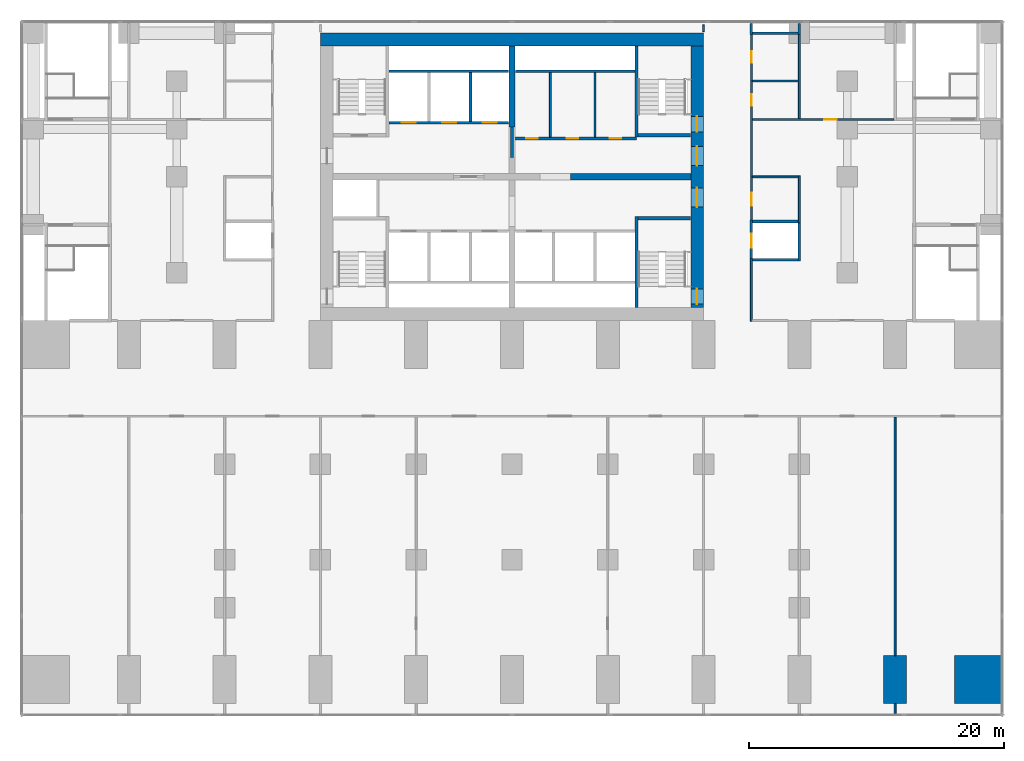
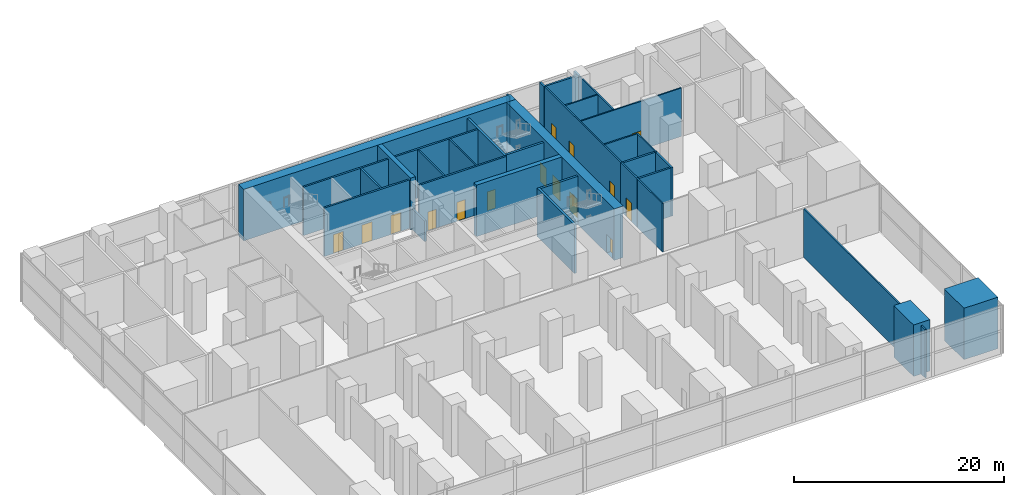
# One storey, part 11 of 14: 35 walls, 15 doors, 15 openings.
"""IFC4 building model written with IfcOpenShell, lengths in metres."""

from ifc_helpers import new_model, si_unit, direction, frame, frame_2d, origin, place, context, subcontext, project, spatial, rectangle, extrude, material, layer, layer_set, type_object, element, fill, save


model = new_model("IFC4")

# Units and contexts
model_context = context("Model", 3, precision=1e-05, world=origin(), true_north=direction((0.0, 1.0)))
body_context = subcontext(model_context, "Body", "Model", "MODEL_VIEW")
ifc_project = project(units=[si_unit("LENGTHUNIT", "METRE"), si_unit("AREAUNIT", "SQUARE_METRE"), si_unit("VOLUMEUNIT", "CUBIC_METRE"), si_unit("PLANEANGLEUNIT", "RADIAN"), si_unit("MASSUNIT", "GRAM", prefix="KILO")], contexts=[model_context])

# Site, building, storey
site_placement = place(None, origin())
site = spatial("IfcSite", under=ifc_project, at=site_placement, CompositionType="ELEMENT")
building_placement = place(site_placement, origin())
building = spatial("IfcBuilding", under=site, at=building_placement, Name="Pilkhan Gate Tower", CompositionType="ELEMENT")
storey_placement = place(building_placement, frame((0.0, 0.0, 24.0)))
storey = spatial("IfcBuildingStorey", under=building, at=storey_placement, Name="L03", CompositionType="ELEMENT", Elevation=24.0)

# Walls
ifc_material_1 = material(Name="Concrete C70/85", Category="concrete")
ifc_layer_1 = layer(ifc_material_1, 1.800048828125)
ifc_layer_set_1 = layer_set([ifc_layer_1], Name="Arch pier AP1800 C70/85")
wall_type_1 = type_object("IfcWallType", Name="Arch pier AP1800 C70/85", PredefinedType="SHEAR", material=ifc_layer_set_1)
wall_1_placement = place(storey_placement, frame((105.0, 41.25, 0.0), z_axis=(0.0, 0.0, 1.0), x_axis=(0.0, 1.0, 0.0)))
element("IfcWall", 1, at=wall_1_placement, inside=storey, type_object=wall_type_1, Name="Arch pier S+4 L03", PredefinedType="SHEAR", context=body_context, shape_type="SweptSolid", body=[
    extrude(rectangle(XDim=3.75, YDim=1.800048828125, at=frame_2d((1.875, 0.0))), origin(), (0.0, 0.0, 1.0), 6.0),
])
ifc_layer_2 = layer(ifc_material_1, 3.75)
ifc_layer_set_2 = layer_set([ifc_layer_2], Name="Arch pier AP3750 C70/85")
wall_type_2 = type_object("IfcWallType", Name="Arch pier AP3750 C70/85", PredefinedType="SHEAR", material=ifc_layer_set_2)
wall_2_placement = place(storey_placement, frame((111.52490234375, 41.25, 0.0), z_axis=(0.0, 0.0, 1.0), x_axis=(0.0, 1.0, 0.0)))
element("IfcWall", 2, at=wall_2_placement, inside=storey, type_object=wall_type_2, Name="Arch pier S+5 L03", PredefinedType="SHEAR", context=body_context, shape_type="SweptSolid", body=[
    extrude(rectangle(XDim=3.75, YDim=3.75, at=frame_2d((1.875, 0.0))), origin(), (0.0, 0.0, 1.0), 6.0),
])

# Wall, openings, doors
ifc_layer_3 = layer(ifc_material_1, 1.0)
ifc_layer_set_3 = layer_set([ifc_layer_3], Name="Core wall CW1000 C70/85")
wall_type_3 = type_object("IfcWallType", Name="Core wall CW1000 C70/85", PredefinedType="SHEAR", material=ifc_layer_set_3)
wall_3_placement = place(storey_placement, frame((89.5, 72.25, 0.0), z_axis=(0.0, 0.0, 1.0), x_axis=(0.0, 1.0, 0.0)))
wall_3 = element("IfcWall", 3, at=wall_3_placement, inside=storey, type_object=wall_type_3, Name="Core wall E L03", PredefinedType="SHEAR", context=body_context, shape_type="SweptSolid", body=[
    extrude(rectangle(XDim=20.5, YDim=1.0, at=frame_2d((10.25, 0.0))), origin(), (0.0, 0.0, 1.0), 6.0),
])
opening_1_placement = place(wall_3_placement, frame((0.27490234375, 0.0, 0.0)))
opening_1 = element("IfcOpeningElement", 4, at=opening_1_placement, cuts=wall_3, Name="Opening L03-03", PredefinedType="OPENING", context=body_context, shape_type="SweptSolid", body=[
    extrude(rectangle(XDim=1.199951171875, YDim=2.199951171875, at=frame_2d((0.60009765625, 1.10009765625))), frame((0.0, 0.510009765625, 0.0), z_axis=(0.0, -1.0, 0.0), x_axis=(1.0, 0.0, 0.0)), (0.0, 0.0, 1.0), 1.02001953125),
])
opening_2_placement = place(wall_3_placement, frame((13.77490234375, 0.0, 0.0)))
opening_2 = element("IfcOpeningElement", 5, at=opening_2_placement, cuts=wall_3, Name="Opening L03-05", PredefinedType="OPENING", context=body_context, shape_type="SweptSolid", body=[
    extrude(rectangle(XDim=1.199951171875, YDim=2.199951171875, at=frame_2d((0.60009765625, 1.10009765625))), frame((0.0, 0.510009765625, 0.0), z_axis=(0.0, -1.0, 0.0), x_axis=(1.0, 0.0, 0.0)), (0.0, 0.0, 1.0), 1.02001953125),
])
opening_3_placement = place(wall_3_placement, frame((7.875, 0.0, 0.0)))
opening_3 = element("IfcOpeningElement", 6, at=opening_3_placement, cuts=wall_3, Name="Opening L03-14", PredefinedType="OPENING", context=body_context, shape_type="SweptSolid", body=[
    extrude(rectangle(XDim=1.5, YDim=2.199951171875, at=frame_2d((0.75, 1.10009765625))), frame((0.0, 0.510009765625, 0.0), z_axis=(0.0, -1.0, 0.0), x_axis=(1.0, 0.0, 0.0)), (0.0, 0.0, 1.0), 1.02001953125),
])
opening_4_placement = place(wall_3_placement, frame((11.125, 0.0, 0.0)))
opening_4 = element("IfcOpeningElement", 7, at=opening_4_placement, cuts=wall_3, Name="Opening L03-16", PredefinedType="OPENING", context=body_context, shape_type="SweptSolid", body=[
    extrude(rectangle(XDim=1.5, YDim=2.199951171875, at=frame_2d((0.75, 1.10009765625))), frame((0.0, 0.510009765625, 0.0), z_axis=(0.0, -1.0, 0.0), x_axis=(1.0, 0.0, 0.0)), (0.0, 0.0, 1.0), 1.02001953125),
])
ifc_material_2 = material(Name="Steel framed glazed door, 60 minute fire resisting", Category="steel")
door_type_1 = type_object("IfcDoorType", Name="Lobby door D09 1500x2200", OperationType="DOUBLE_DOOR_SINGLE_SWING", PredefinedType="DOOR", material=ifc_material_2)
door_1_placement = place(opening_3_placement, origin())
door_1 = element("IfcDoor", 8, at=door_1_placement, inside=storey, type_object=door_type_1, Name="Core door", OperationType="DOUBLE_DOOR_SINGLE_SWING", OverallHeight=2.199951171875, OverallWidth=1.5, PredefinedType="DOOR", context=body_context, shape_type="SweptSolid", body=[
    extrude(rectangle(XDim=1.5, YDim=2.199951171875, at=frame_2d((0.75, 1.10009765625))), frame((0.0, 0.02490234375, 0.0), z_axis=(0.0, -1.0, 0.0), x_axis=(1.0, 0.0, 0.0)), (0.0, 0.0, 1.0), 0.050048828125),
])
fill(opening_3, door_1)
door_2_placement = place(opening_4_placement, origin())
door_2 = element("IfcDoor", 9, at=door_2_placement, inside=storey, type_object=door_type_1, Name="Core door", OperationType="DOUBLE_DOOR_SINGLE_SWING", OverallHeight=2.199951171875, OverallWidth=1.5, PredefinedType="DOOR", context=body_context, shape_type="SweptSolid", body=[
    extrude(rectangle(XDim=1.5, YDim=2.199951171875, at=frame_2d((0.75, 1.10009765625))), frame((0.0, 0.02490234375, 0.0), z_axis=(0.0, -1.0, 0.0), x_axis=(1.0, 0.0, 0.0)), (0.0, 0.0, 1.0), 0.050048828125),
])
fill(opening_4, door_2)
ifc_material_3 = material(Name="Steel door, 120 minute fire resisting, panic bar", Category="steel")
door_type_2 = type_object("IfcDoorType", Name="Stair door D11 1200x2200", OperationType="SINGLE_SWING_LEFT", PredefinedType="DOOR", material=ifc_material_3)
door_3_placement = place(opening_1_placement, origin())
door_3 = element("IfcDoor", 10, at=door_3_placement, inside=storey, type_object=door_type_2, Name="Stair ST1 door", OperationType="SINGLE_SWING_RIGHT", OverallHeight=2.199951171875, OverallWidth=1.199951171875, PredefinedType="DOOR", context=body_context, shape_type="SweptSolid", body=[
    extrude(rectangle(XDim=1.199951171875, YDim=2.199951171875, at=frame_2d((0.60009765625, 1.10009765625))), frame((0.0, 0.02490234375, 0.0), z_axis=(0.0, -1.0, 0.0), x_axis=(1.0, 0.0, 0.0)), (0.0, 0.0, 1.0), 0.050048828125),
])
fill(opening_1, door_3)
door_4_placement = place(opening_2_placement, origin())
door_4 = element("IfcDoor", 11, at=door_4_placement, inside=storey, type_object=door_type_2, Name="Stair ST4 door", OperationType="SINGLE_SWING_LEFT", OverallHeight=2.199951171875, OverallWidth=1.199951171875, PredefinedType="DOOR", context=body_context, shape_type="SweptSolid", body=[
    extrude(rectangle(XDim=1.199951171875, YDim=2.199951171875, at=frame_2d((0.60009765625, 1.10009765625))), frame((0.0, 0.02490234375, 0.0), z_axis=(0.0, -1.0, 0.0), x_axis=(1.0, 0.0, 0.0)), (0.0, 0.0, 1.0), 0.050048828125),
])
fill(opening_2, door_4)

# Wall
wall_4_placement = place(storey_placement, frame((90.0, 93.25, 0.0), z_axis=(0.0, 0.0, 1.0), x_axis=(-1.0, 0.0, 0.0)))
element("IfcWall", 12, at=wall_4_placement, inside=storey, type_object=wall_type_3, Name="Core wall N L03", PredefinedType="SHEAR", context=body_context, shape_type="SweptSolid", body=[
    extrude(rectangle(XDim=30.0, YDim=1.0, at=frame_2d((15.0, 0.0))), origin(), (0.0, 0.0, 1.0), 6.0),
])

# Wall, openings, doors
ifc_material_4 = material(Name="Dense blockwork", Category="masonry")
ifc_layer_4 = layer(ifc_material_4, 0.199951171875)
ifc_layer_set_4 = layer_set([ifc_layer_4], Name="Lobby wall LW200")
wall_type_4 = type_object("IfcWallType", Name="Lobby wall LW200", PredefinedType="PARTITIONING", material=ifc_layer_set_4)
wall_5_placement = place(storey_placement, frame((75.10009765625, 85.5, 0.0), z_axis=(0.0, 0.0, 1.0), x_axis=(1.0, 0.0, 0.0)))
wall_5 = element("IfcWall", 13, at=wall_5_placement, inside=storey, type_object=wall_type_4, Name="Partition L03", PredefinedType="PARTITIONING", context=body_context, shape_type="SweptSolid", body=[
    extrude(rectangle(XDim=9.64990234375, YDim=0.199951171875, at=frame_2d((4.824951171875, 0.0))), origin(), (0.0, 0.0, 1.0), 5.64990234375),
])
opening_5_placement = place(wall_5_placement, frame((1.0, 0.0, 0.0)))
opening_5 = element("IfcOpeningElement", 14, at=opening_5_placement, cuts=wall_5, Name="Opening L03-17", PredefinedType="OPENING", context=body_context, shape_type="SweptSolid", body=[
    extrude(rectangle(XDim=0.89990234375, YDim=2.199951171875, at=frame_2d((0.449951171875, 1.10009765625))), frame((0.0, 0.10986328125, 0.0), z_axis=(0.0, -1.0, 0.0), x_axis=(1.0, 0.0, 0.0)), (0.0, 0.0, 1.0), 0.219970703125),
])
opening_6_placement = place(wall_5_placement, frame((4.199951171875, 0.0, 0.0)))
opening_6 = element("IfcOpeningElement", 15, at=opening_6_placement, cuts=wall_5, Name="Opening L03-18", PredefinedType="OPENING", context=body_context, shape_type="SweptSolid", body=[
    extrude(rectangle(XDim=0.89990234375, YDim=2.199951171875, at=frame_2d((0.449951171875, 1.10009765625))), frame((0.0, 0.10986328125, 0.0), z_axis=(0.0, -1.0, 0.0), x_axis=(1.0, 0.0, 0.0)), (0.0, 0.0, 1.0), 0.219970703125),
])
opening_7_placement = place(wall_5_placement, frame((7.550048828125, 0.0, 0.0)))
opening_7 = element("IfcOpeningElement", 16, at=opening_7_placement, cuts=wall_5, Name="Opening L03-19", PredefinedType="OPENING", context=body_context, shape_type="SweptSolid", body=[
    extrude(rectangle(XDim=0.89990234375, YDim=2.199951171875, at=frame_2d((0.449951171875, 1.10009765625))), frame((0.0, 0.10986328125, 0.0), z_axis=(0.0, -1.0, 0.0), x_axis=(1.0, 0.0, 0.0)), (0.0, 0.0, 1.0), 0.219970703125),
])
ifc_material_5 = material(Name="Timber flush door, 60 minute fire resisting, self-closing", Category="wood")
door_type_3 = type_object("IfcDoorType", Name="Store door D05 900x2200", OperationType="SINGLE_SWING_LEFT", PredefinedType="DOOR", material=ifc_material_5)
door_5_placement = place(opening_6_placement, origin())
door_5 = element("IfcDoor", 17, at=door_5_placement, inside=storey, type_object=door_type_3, Name="Store door", OperationType="SINGLE_SWING_LEFT", OverallHeight=2.199951171875, OverallWidth=0.89990234375, PredefinedType="DOOR", context=body_context, shape_type="SweptSolid", body=[
    extrude(rectangle(XDim=0.89990234375, YDim=2.199951171875, at=frame_2d((0.449951171875, 1.10009765625))), frame((0.0, 0.02490234375, 0.0), z_axis=(0.0, -1.0, 0.0), x_axis=(1.0, 0.0, 0.0)), (0.0, 0.0, 1.0), 0.050048828125),
])
fill(opening_6, door_5)
door_6_placement = place(opening_7_placement, origin())
door_6 = element("IfcDoor", 18, at=door_6_placement, inside=storey, type_object=door_type_3, Name="Store door", OperationType="SINGLE_SWING_RIGHT", OverallHeight=2.199951171875, OverallWidth=0.89990234375, PredefinedType="DOOR", context=body_context, shape_type="SweptSolid", body=[
    extrude(rectangle(XDim=0.89990234375, YDim=2.199951171875, at=frame_2d((0.449951171875, 1.10009765625))), frame((0.0, 0.02490234375, 0.0), z_axis=(0.0, -1.0, 0.0), x_axis=(1.0, 0.0, 0.0)), (0.0, 0.0, 1.0), 0.050048828125),
])
fill(opening_7, door_6)
ifc_material_6 = material(Name="Timber flush door, 30 minute fire resisting", Category="wood")
door_type_4 = type_object("IfcDoorType", Name="Toilet door D06 900x2200", OperationType="SINGLE_SWING_LEFT", PredefinedType="DOOR", material=ifc_material_6)
door_7_placement = place(opening_5_placement, origin())
door_7 = element("IfcDoor", 19, at=door_7_placement, inside=storey, type_object=door_type_4, Name="Toilet door", OperationType="SINGLE_SWING_LEFT", OverallHeight=2.199951171875, OverallWidth=0.89990234375, PredefinedType="DOOR", context=body_context, shape_type="SweptSolid", body=[
    extrude(rectangle(XDim=0.89990234375, YDim=2.199951171875, at=frame_2d((0.449951171875, 1.10009765625))), frame((0.0, 0.02490234375, 0.0), z_axis=(0.0, -1.0, 0.0), x_axis=(1.0, 0.0, 0.0)), (0.0, 0.0, 1.0), 0.050048828125),
])
fill(opening_5, door_7)

# Walls
wall_6_placement = place(storey_placement, frame((75.260009765625, 90.75, 0.0), z_axis=(0.0, 0.0, 1.0), x_axis=(1.0, 0.0, 0.0)))
element("IfcWall", 20, at=wall_6_placement, inside=storey, type_object=wall_type_4, Name="Partition L03", PredefinedType="PARTITIONING", context=body_context, shape_type="SweptSolid", body=[
    extrude(rectangle(XDim=9.364990234375, YDim=0.199951171875, at=frame_2d((4.6826171875, 0.0))), origin(), (0.0, 0.0, 1.0), 5.64990234375),
])
wall_7_placement = place(storey_placement, frame((93.85009765625, 93.75, 0.0), z_axis=(0.0, 0.0, 1.0), x_axis=(1.0, 0.0, 0.0)))
element("IfcWall", 21, at=wall_7_placement, inside=storey, type_object=wall_type_4, Name="Partition L03", PredefinedType="PARTITIONING", context=body_context, shape_type="SweptSolid", body=[
    extrude(rectangle(XDim=3.5498046875, YDim=0.199951171875, at=frame_2d((1.77490234375, 0.0))), origin(), (0.0, 0.0, 1.0), 5.64990234375),
])
wall_8_placement = place(storey_placement, frame((75.0, 84.010009765625, 0.0), z_axis=(0.0, 0.0, 1.0), x_axis=(0.0, 1.0, 0.0)))
element("IfcWall", 22, at=wall_8_placement, inside=storey, type_object=wall_type_4, Name="Partition L03", PredefinedType="PARTITIONING", context=body_context, shape_type="SweptSolid", body=[
    extrude(rectangle(XDim=2.3798828125, YDim=0.199951171875, at=frame_2d((1.18994140625, 0.0))), origin(), (0.0, 0.0, 1.0), 2.39990234375),
])
for number, where, z_axis, x_axis, name in (
    (23, (93.75, 93.64990234375, 0.0), (0.0, 0.0, 1.0), (0.0, 1.0, 0.0), "Partition L03"),
    (24, (97.5, 93.64990234375, 0.0), (0.0, 0.0, 1.0), (0.0, 1.0, 0.0), "Partition L03"),
):
    element("IfcWall", number, at=place(storey_placement, frame(where, z_axis=z_axis, x_axis=x_axis)), inside=storey, type_object=wall_type_4, Name=name, PredefinedType="PARTITIONING", context=body_context, shape_type="SweptSolid", body=[
        extrude(rectangle(XDim=0.864990234375, YDim=0.199951171875, at=frame_2d((0.4326171875, 0.0))), origin(), (0.0, 0.0, 1.0), 5.64990234375),
    ])
ifc_material_7 = material(Name="Blockwork partition, plastered both sides", Category="masonry")
ifc_layer_5 = layer(ifc_material_7, 0.14990234375)
ifc_layer_set_5 = layer_set([ifc_layer_5], Name="Partition PW150")
wall_type_5 = type_object("IfcWallType", Name="Partition PW150", PredefinedType="PARTITIONING", material=ifc_layer_set_5)
wall_9_placement = place(storey_placement, frame((93.824951171875, 82.5, 0.0), z_axis=(0.0, 0.0, 1.0), x_axis=(1.0, 0.0, 0.0)))
element("IfcWall", 25, at=wall_9_placement, inside=storey, type_object=wall_type_5, Name="Partition L03", PredefinedType="PARTITIONING", context=body_context, shape_type="SweptSolid", body=[
    extrude(rectangle(XDim=3.60009765625, YDim=0.14990234375, at=frame_2d((1.800048828125, 0.0))), origin(), (0.0, 0.0, 1.0), 5.64990234375),
])

# Wall, opening, door
wall_10_placement = place(storey_placement, frame((93.824951171875, 87.0, 0.0), z_axis=(0.0, 0.0, 1.0), x_axis=(1.0, 0.0, 0.0)))
wall_10 = element("IfcWall", 26, at=wall_10_placement, inside=storey, type_object=wall_type_5, Name="Partition L03", PredefinedType="PARTITIONING", context=body_context, shape_type="SweptSolid", body=[
    extrude(rectangle(XDim=11.074951171875, YDim=0.14990234375, at=frame_2d((5.53759765625, 0.0))), origin(), (0.0, 0.0, 1.0), 5.64990234375),
])
opening_8_placement = place(wall_10_placement, frame((5.625, 0.0, 0.0)))
opening_8 = element("IfcOpeningElement", 27, at=opening_8_placement, cuts=wall_10, Name="Opening L03-36", PredefinedType="OPENING", context=body_context, shape_type="SweptSolid", body=[
    extrude(rectangle(XDim=1.0, YDim=2.199951171875, at=frame_2d((0.5, 1.10009765625))), frame((0.0, 0.0849609375, 0.0), z_axis=(0.0, -1.0, 0.0), x_axis=(1.0, 0.0, 0.0)), (0.0, 0.0, 1.0), 0.169921875),
])
door_type_5 = type_object("IfcDoorType", Name="Room door D03 1000x2200", OperationType="SINGLE_SWING_LEFT", PredefinedType="DOOR", material=ifc_material_6)
door_8_placement = place(opening_8_placement, origin())
door_8 = element("IfcDoor", 28, at=door_8_placement, inside=storey, type_object=door_type_5, Name="Room door", OperationType="SINGLE_SWING_LEFT", OverallHeight=2.199951171875, OverallWidth=1.0, PredefinedType="DOOR", context=body_context, shape_type="SweptSolid", body=[
    extrude(rectangle(XDim=1.0, YDim=2.199951171875, at=frame_2d((0.5, 1.10009765625))), frame((0.0, 0.02490234375, 0.0), z_axis=(0.0, -1.0, 0.0), x_axis=(1.0, 0.0, 0.0)), (0.0, 0.0, 1.0), 0.050048828125),
])
fill(opening_8, door_8)

# Walls
wall_11_placement = place(storey_placement, frame((93.824951171875, 90.0, 0.0), z_axis=(0.0, 0.0, 1.0), x_axis=(1.0, 0.0, 0.0)))
element("IfcWall", 29, at=wall_11_placement, inside=storey, type_object=wall_type_5, Name="Partition L03", PredefinedType="PARTITIONING", context=body_context, shape_type="SweptSolid", body=[
    extrude(rectangle(XDim=3.60009765625, YDim=0.14990234375, at=frame_2d((1.800048828125, 0.0))), origin(), (0.0, 0.0, 1.0), 5.64990234375),
])
for number, where, z_axis, x_axis, name in (
    (30, (78.0, 85.60009765625, 0.0), (0.0, 0.0, 1.0), (0.0, 1.0, 0.0), "Partition L03"),
    (31, (81.5, 85.60009765625, 0.0), (0.0, 0.0, 1.0), (0.0, 1.0, 0.0), "Partition L03"),
):
    element("IfcWall", number, at=place(storey_placement, frame(where, z_axis=z_axis, x_axis=x_axis)), inside=storey, type_object=wall_type_5, Name=name, PredefinedType="PARTITIONING", context=body_context, shape_type="SweptSolid", body=[
        extrude(rectangle(XDim=5.0498046875, YDim=0.14990234375, at=frame_2d((2.52490234375, 0.0))), origin(), (0.0, 0.0, 1.0), 5.64990234375),
    ])
wall_12_placement = place(storey_placement, frame((90.0, 93.8701171875, 0.0), z_axis=(0.0, 0.0, 1.0), x_axis=(0.0, 1.0, 0.0)))
element("IfcWall", 32, at=wall_12_placement, inside=storey, type_object=wall_type_5, Name="Partition L03", PredefinedType="PARTITIONING", context=body_context, shape_type="SweptSolid", body=[
    extrude(rectangle(XDim=0.52490234375, YDim=0.14990234375, at=frame_2d((0.262451171875, 0.0))), origin(), (0.0, 0.0, 1.0), 5.64990234375),
])
wall_13_placement = place(storey_placement, frame((93.75, 71.175048828125, 0.0), z_axis=(0.0, 0.0, 1.0), x_axis=(0.0, 1.0, 0.0)))
element("IfcWall", 33, at=wall_13_placement, inside=storey, type_object=wall_type_5, Name="Partition L03", PredefinedType="PARTITIONING", context=body_context, shape_type="SweptSolid", body=[
    extrude(rectangle(XDim=4.925048828125, YDim=0.14990234375, at=frame_2d((2.46240234375, 0.0))), origin(), (0.0, 0.0, 1.0), 5.64990234375),
])

# Wall, openings, doors
wall_14_placement = place(storey_placement, frame((93.75, 78.89990234375, 0.0), z_axis=(0.0, 0.0, 1.0), x_axis=(0.0, 1.0, 0.0)))
wall_14 = element("IfcWall", 34, at=wall_14_placement, inside=storey, type_object=wall_type_5, Name="Partition L03", PredefinedType="PARTITIONING", context=body_context, shape_type="SweptSolid", body=[
    extrude(rectangle(XDim=14.85009765625, YDim=0.14990234375, at=frame_2d((7.425048828125, 0.0))), origin(), (0.0, 0.0, 1.0), 5.64990234375),
])
opening_9_placement = place(wall_14_placement, frame((9.14990234375, 0.0, 0.0)))
opening_9 = element("IfcOpeningElement", 35, at=opening_9_placement, cuts=wall_14, Name="Opening L03-34", PredefinedType="OPENING", context=body_context, shape_type="SweptSolid", body=[
    extrude(rectangle(XDim=0.89990234375, YDim=2.199951171875, at=frame_2d((0.449951171875, 1.10009765625))), frame((0.0, 0.0849609375, 0.0), z_axis=(0.0, -1.0, 0.0), x_axis=(1.0, 0.0, 0.0)), (0.0, 0.0, 1.0), 0.169921875),
])
opening_10_placement = place(wall_14_placement, frame((12.550048828125, 0.0, 0.0)))
opening_10 = element("IfcOpeningElement", 36, at=opening_10_placement, cuts=wall_14, Name="Opening L03-35", PredefinedType="OPENING", context=body_context, shape_type="SweptSolid", body=[
    extrude(rectangle(XDim=0.89990234375, YDim=2.199951171875, at=frame_2d((0.449951171875, 1.10009765625))), frame((0.0, 0.0849609375, 0.0), z_axis=(0.0, -1.0, 0.0), x_axis=(1.0, 0.0, 0.0)), (0.0, 0.0, 1.0), 0.169921875),
])
opening_11_placement = place(wall_14_placement, frame((1.35009765625, 0.0, 0.0)))
opening_11 = element("IfcOpeningElement", 37, at=opening_11_placement, cuts=wall_14, Name="Opening L03-37", PredefinedType="OPENING", context=body_context, shape_type="SweptSolid", body=[
    extrude(rectangle(XDim=1.0, YDim=2.199951171875, at=frame_2d((0.5, 1.10009765625))), frame((0.0, 0.0849609375, 0.0), z_axis=(0.0, -1.0, 0.0), x_axis=(1.0, 0.0, 0.0)), (0.0, 0.0, 1.0), 0.169921875),
])
ifc_material_8 = material(Name="Timber flush door, outward opening, 30 minute fire resisting", Category="wood")
door_type_6 = type_object("IfcDoorType", Name="Accessible toilet door D07 1000x2200", OperationType="SINGLE_SWING_LEFT", PredefinedType="DOOR", material=ifc_material_8)
door_9_placement = place(opening_11_placement, origin())
door_9 = element("IfcDoor", 38, at=door_9_placement, inside=storey, type_object=door_type_6, Name="Accessible toilet door", OperationType="SINGLE_SWING_LEFT", OverallHeight=2.199951171875, OverallWidth=1.0, PredefinedType="DOOR", context=body_context, shape_type="SweptSolid", body=[
    extrude(rectangle(XDim=1.0, YDim=2.199951171875, at=frame_2d((0.5, 1.10009765625))), frame((0.0, 0.02490234375, 0.0), z_axis=(0.0, -1.0, 0.0), x_axis=(1.0, 0.0, 0.0)), (0.0, 0.0, 1.0), 0.050048828125),
])
fill(opening_11, door_9)
door_10_placement = place(opening_9_placement, origin())
door_10 = element("IfcDoor", 39, at=door_10_placement, inside=storey, type_object=door_type_4, Name="Toilet door", OperationType="SINGLE_SWING_RIGHT", OverallHeight=2.199951171875, OverallWidth=0.89990234375, PredefinedType="DOOR", context=body_context, shape_type="SweptSolid", body=[
    extrude(rectangle(XDim=0.89990234375, YDim=2.199951171875, at=frame_2d((0.449951171875, 1.10009765625))), frame((0.0, 0.02490234375, 0.0), z_axis=(0.0, -1.0, 0.0), x_axis=(1.0, 0.0, 0.0)), (0.0, 0.0, 1.0), 0.050048828125),
])
fill(opening_9, door_10)
door_11_placement = place(opening_10_placement, origin())
door_11 = element("IfcDoor", 40, at=door_11_placement, inside=storey, type_object=door_type_4, Name="Toilet door", OperationType="SINGLE_SWING_LEFT", OverallHeight=2.199951171875, OverallWidth=0.89990234375, PredefinedType="DOOR", context=body_context, shape_type="SweptSolid", body=[
    extrude(rectangle(XDim=0.89990234375, YDim=2.199951171875, at=frame_2d((0.449951171875, 1.10009765625))), frame((0.0, 0.02490234375, 0.0), z_axis=(0.0, -1.0, 0.0), x_axis=(1.0, 0.0, 0.0)), (0.0, 0.0, 1.0), 0.050048828125),
])
fill(opening_10, door_11)

# Walls
wall_15_placement = place(storey_placement, frame((97.5, 78.89990234375, 0.0), z_axis=(0.0, 0.0, 1.0), x_axis=(0.0, 1.0, 0.0)))
element("IfcWall", 41, at=wall_15_placement, inside=storey, type_object=wall_type_5, Name="Partition L03", PredefinedType="PARTITIONING", context=body_context, shape_type="SweptSolid", body=[
    extrude(rectangle(XDim=3.675048828125, YDim=0.14990234375, at=frame_2d((1.83740234375, 0.0))), origin(), (0.0, 0.0, 1.0), 5.64990234375),
])
wall_16_placement = place(storey_placement, frame((97.5, 87.074951171875, 0.0), z_axis=(0.0, 0.0, 1.0), x_axis=(0.0, 1.0, 0.0)))
element("IfcWall", 42, at=wall_16_placement, inside=storey, type_object=wall_type_5, Name="Partition L03", PredefinedType="PARTITIONING", context=body_context, shape_type="SweptSolid", body=[
    extrude(rectangle(XDim=6.675048828125, YDim=0.14990234375, at=frame_2d((3.33740234375, 0.0))), origin(), (0.0, 0.0, 1.0), 5.64990234375),
])
wall_17_placement = place(storey_placement, frame((105.0, 40.485107421875, 0.0), z_axis=(0.0, 0.0, 1.0), x_axis=(0.0, 1.0, 0.0)))
element("IfcWall", 43, at=wall_17_placement, inside=storey, type_object=wall_type_5, Name="Partition L03", PredefinedType="PARTITIONING", context=body_context, shape_type="SweptSolid", body=[
    extrude(rectangle(XDim=0.7548828125, YDim=0.14990234375, at=frame_2d((0.37744140625, 0.0))), origin(), (0.0, 0.0, 1.0), 5.64990234375),
])
wall_18_placement = place(storey_placement, frame((105.0, 45.010009765625, 0.0), z_axis=(0.0, 0.0, 1.0), x_axis=(0.0, 1.0, 0.0)))
element("IfcWall", 44, at=wall_18_placement, inside=storey, type_object=wall_type_5, Name="Partition L03", PredefinedType="PARTITIONING", context=body_context, shape_type="SweptSolid", body=[
    extrude(rectangle(XDim=18.6650390625, YDim=0.14990234375, at=frame_2d((9.33251953125, 0.0))), origin(), (0.0, 0.0, 1.0), 5.64990234375),
])
ifc_material_9 = material(Name="Reinforced blockwork shaft wall, 120 minute fire resisting", Category="masonry")
ifc_layer_6 = layer(ifc_material_9, 0.199951171875)
ifc_layer_set_6 = layer_set([ifc_layer_6], Name="Shaft wall SW200")
wall_type_6 = type_object("IfcWallType", Name="Shaft wall SW200", PredefinedType="PARTITIONING", material=ifc_layer_set_6)
for number, where, z_axis, x_axis, name in (
    (45, (93.85009765625, 76.0, 0.0), (0.0, 0.0, 1.0), (1.0, 0.0, 0.0), "Partition L03"),
    (46, (93.85009765625, 79.0, 0.0), (0.0, 0.0, 1.0), (1.0, 0.0, 0.0), "Partition L03"),
):
    element("IfcWall", number, at=place(storey_placement, frame(where, z_axis=z_axis, x_axis=x_axis)), inside=storey, type_object=wall_type_6, Name=name, PredefinedType="PARTITIONING", context=body_context, shape_type="SweptSolid", body=[
        extrude(rectangle(XDim=3.5498046875, YDim=0.199951171875, at=frame_2d((1.77490234375, 0.0))), origin(), (0.0, 0.0, 1.0), 5.64990234375),
    ])

# Wall, openings, doors
wall_19_placement = place(storey_placement, frame((65.375, 86.75, 0.0), z_axis=(0.0, 0.0, 1.0), x_axis=(1.0, 0.0, 0.0)))
wall_19 = element("IfcWall", 47, at=wall_19_placement, inside=storey, type_object=wall_type_6, Name="Partition L03", PredefinedType="PARTITIONING", context=body_context, shape_type="SweptSolid", body=[
    extrude(rectangle(XDim=9.364990234375, YDim=0.199951171875, at=frame_2d((4.6826171875, 0.0))), origin(), (0.0, 0.0, 1.0), 5.64990234375),
])
opening_12_placement = place(wall_19_placement, frame((1.0, 0.0, 0.0)))
opening_12 = element("IfcOpeningElement", 48, at=opening_12_placement, cuts=wall_19, Name="Opening LD", PredefinedType="OPENING", context=body_context, shape_type="SweptSolid", body=[
    extrude(rectangle(XDim=1.10009765625, YDim=2.199951171875, at=frame_2d((0.550048828125, 1.10009765625))), frame((0.0, 0.10986328125, 0.0), z_axis=(0.0, -1.0, 0.0), x_axis=(1.0, 0.0, 0.0)), (0.0, 0.0, 1.0), 0.219970703125),
])
opening_13_placement = place(wall_19_placement, frame((4.175048828125, 0.0, 0.0)))
opening_13 = element("IfcOpeningElement", 49, at=opening_13_placement, cuts=wall_19, Name="Opening LD", PredefinedType="OPENING", context=body_context, shape_type="SweptSolid", body=[
    extrude(rectangle(XDim=1.10009765625, YDim=2.199951171875, at=frame_2d((0.550048828125, 1.10009765625))), frame((0.0, 0.10986328125, 0.0), z_axis=(0.0, -1.0, 0.0), x_axis=(1.0, 0.0, 0.0)), (0.0, 0.0, 1.0), 0.219970703125),
])
opening_14_placement = place(wall_19_placement, frame((7.324951171875, 0.0, 0.0)))
opening_14 = element("IfcOpeningElement", 50, at=opening_14_placement, cuts=wall_19, Name="Opening LD", PredefinedType="OPENING", context=body_context, shape_type="SweptSolid", body=[
    extrude(rectangle(XDim=1.10009765625, YDim=2.199951171875, at=frame_2d((0.550048828125, 1.10009765625))), frame((0.0, 0.10986328125, 0.0), z_axis=(0.0, -1.0, 0.0), x_axis=(1.0, 0.0, 0.0)), (0.0, 0.0, 1.0), 0.219970703125),
])
ifc_material_10 = material(Name="Stainless steel centre-opening landing door, 120 minute fire resisting", Category="steel")
door_type_7 = type_object("IfcDoorType", Name="Lift landing door LD 1100x2200", OperationType="DOUBLE_DOOR_SLIDING", PredefinedType="DOOR", material=ifc_material_10)
door_12_placement = place(opening_12_placement, origin())
door_12 = element("IfcDoor", 51, at=door_12_placement, inside=storey, type_object=door_type_7, Name="Landing door FF1", OperationType="DOUBLE_DOOR_SLIDING", OverallHeight=2.199951171875, OverallWidth=1.10009765625, PredefinedType="DOOR", context=body_context, shape_type="SweptSolid", body=[
    extrude(rectangle(XDim=1.10009765625, YDim=2.199951171875, at=frame_2d((0.550048828125, 1.10009765625))), frame((0.0, 0.02490234375, 0.0), z_axis=(0.0, -1.0, 0.0), x_axis=(1.0, 0.0, 0.0)), (0.0, 0.0, 1.0), 0.050048828125),
])
fill(opening_12, door_12)
door_13_placement = place(opening_13_placement, origin())
door_13 = element("IfcDoor", 52, at=door_13_placement, inside=storey, type_object=door_type_7, Name="Landing door FF2", OperationType="DOUBLE_DOOR_SLIDING", OverallHeight=2.199951171875, OverallWidth=1.10009765625, PredefinedType="DOOR", context=body_context, shape_type="SweptSolid", body=[
    extrude(rectangle(XDim=1.10009765625, YDim=2.199951171875, at=frame_2d((0.550048828125, 1.10009765625))), frame((0.0, 0.02490234375, 0.0), z_axis=(0.0, -1.0, 0.0), x_axis=(1.0, 0.0, 0.0)), (0.0, 0.0, 1.0), 0.050048828125),
])
fill(opening_13, door_13)
door_14_placement = place(opening_14_placement, origin())
door_14 = element("IfcDoor", 53, at=door_14_placement, inside=storey, type_object=door_type_7, Name="Landing door SV1", OperationType="DOUBLE_DOOR_SLIDING", OverallHeight=2.199951171875, OverallWidth=1.10009765625, PredefinedType="DOOR", context=body_context, shape_type="SweptSolid", body=[
    extrude(rectangle(XDim=1.10009765625, YDim=2.199951171875, at=frame_2d((0.550048828125, 1.10009765625))), frame((0.0, 0.02490234375, 0.0), z_axis=(0.0, -1.0, 0.0), x_axis=(1.0, 0.0, 0.0)), (0.0, 0.0, 1.0), 0.050048828125),
])
fill(opening_14, door_14)

# Walls
wall_20_placement = place(storey_placement, frame((65.375, 90.75, 0.0), z_axis=(0.0, 0.0, 1.0), x_axis=(1.0, 0.0, 0.0)))
element("IfcWall", 54, at=wall_20_placement, inside=storey, type_object=wall_type_6, Name="Partition L03", PredefinedType="PARTITIONING", context=body_context, shape_type="SweptSolid", body=[
    extrude(rectangle(XDim=9.364990234375, YDim=0.199951171875, at=frame_2d((4.6826171875, 0.0))), origin(), (0.0, 0.0, 1.0), 5.64990234375),
])
wall_21_placement = place(storey_placement, frame((71.75, 86.85009765625, 0.0), z_axis=(0.0, 0.0, 1.0), x_axis=(0.0, 1.0, 0.0)))
element("IfcWall", 55, at=wall_21_placement, inside=storey, type_object=wall_type_6, Name="Partition L03", PredefinedType="PARTITIONING", context=body_context, shape_type="SweptSolid", body=[
    extrude(rectangle(XDim=3.7998046875, YDim=0.199951171875, at=frame_2d((1.89990234375, 0.0))), origin(), (0.0, 0.0, 1.0), 5.64990234375),
])

# Wall, opening, door
wall_22_placement = place(storey_placement, frame((93.75, 75.89990234375, 0.0), z_axis=(0.0, 0.0, 1.0), x_axis=(0.0, 1.0, 0.0)))
wall_22 = element("IfcWall", 56, at=wall_22_placement, inside=storey, type_object=wall_type_6, Name="Partition L03", PredefinedType="PARTITIONING", context=body_context, shape_type="SweptSolid", body=[
    extrude(rectangle(XDim=3.2001953125, YDim=0.199951171875, at=frame_2d((1.60009765625, 0.0))), origin(), (0.0, 0.0, 1.0), 5.64990234375),
])
opening_15_placement = place(wall_22_placement, frame((1.050048828125, 0.0, 0.0)))
opening_15 = element("IfcOpeningElement", 57, at=opening_15_placement, cuts=wall_22, Name="Opening LD", PredefinedType="OPENING", context=body_context, shape_type="SweptSolid", body=[
    extrude(rectangle(XDim=1.10009765625, YDim=2.199951171875, at=frame_2d((0.550048828125, 1.10009765625))), frame((0.0, 0.10986328125, 0.0), z_axis=(0.0, -1.0, 0.0), x_axis=(1.0, 0.0, 0.0)), (0.0, 0.0, 1.0), 0.219970703125),
])
door_15_placement = place(opening_15_placement, origin())
door_15 = element("IfcDoor", 58, at=door_15_placement, inside=storey, type_object=door_type_7, Name="Landing door P2", OperationType="DOUBLE_DOOR_SLIDING", OverallHeight=2.199951171875, OverallWidth=1.10009765625, PredefinedType="DOOR", context=body_context, shape_type="SweptSolid", body=[
    extrude(rectangle(XDim=1.10009765625, YDim=2.199951171875, at=frame_2d((0.550048828125, 1.10009765625))), frame((0.0, 0.02490234375, 0.0), z_axis=(0.0, -1.0, 0.0), x_axis=(1.0, 0.0, 0.0)), (0.0, 0.0, 1.0), 0.050048828125),
])
fill(opening_15, door_15)

# Walls
wall_23_placement = place(storey_placement, frame((97.5, 75.89990234375, 0.0), z_axis=(0.0, 0.0, 1.0), x_axis=(0.0, 1.0, 0.0)))
element("IfcWall", 59, at=wall_23_placement, inside=storey, type_object=wall_type_6, Name="Partition L03", PredefinedType="PARTITIONING", context=body_context, shape_type="SweptSolid", body=[
    extrude(rectangle(XDim=3.2001953125, YDim=0.199951171875, at=frame_2d((1.60009765625, 0.0))), origin(), (0.0, 0.0, 1.0), 5.64990234375),
])
ifc_layer_7 = layer(ifc_material_1, 0.5)
ifc_layer_set_7 = layer_set([ifc_layer_7], Name="Spine wall SW500 C70/85")
wall_type_7 = type_object("IfcWallType", Name="Spine wall SW500 C70/85", PredefinedType="SHEAR", material=ifc_layer_set_7)
wall_24_placement = place(storey_placement, frame((79.60009765625, 82.5, 0.0), z_axis=(0.0, 0.0, 1.0), x_axis=(1.0, 0.0, 0.0)))
element("IfcWall", 60, at=wall_24_placement, inside=storey, type_object=wall_type_7, Name="Spine wall SP-EW3 L03", PredefinedType="SHEAR", context=body_context, shape_type="SweptSolid", body=[
    extrude(rectangle(XDim=9.39990234375, YDim=0.5, at=frame_2d((4.699951171875, 0.0))), origin(), (0.0, 0.0, 1.0), 6.0),
])
wall_25_placement = place(storey_placement, frame((75.0, 86.39990234375, 0.0), z_axis=(0.0, 0.0, 1.0), x_axis=(0.0, 1.0, 0.0)))
element("IfcWall", 61, at=wall_25_placement, inside=storey, type_object=wall_type_7, Name="Spine wall SP-NS-N2 L03", PredefinedType="SHEAR", context=body_context, shape_type="SweptSolid", body=[
    extrude(rectangle(XDim=6.35009765625, YDim=0.5, at=frame_2d((3.175048828125, 0.0))), origin(), (0.0, 0.0, 1.0), 6.0),
])
ifc_material_11 = material(Name="Reinforced blockwork, 120 minute fire resisting", Category="masonry")
ifc_layer_8 = layer(ifc_material_11, 0.25)
ifc_layer_set_8 = layer_set([ifc_layer_8], Name="Stair enclosure wall SE250")
wall_type_8 = type_object("IfcWallType", Name="Stair enclosure wall SE250", PredefinedType="PARTITIONING", material=ifc_layer_set_8)
for number, where, z_axis, x_axis, name in (
    (62, (84.875, 79.25, 0.0), (0.0, 0.0, 1.0), (1.0, 0.0, 0.0), "Partition L03"),
    (63, (84.875, 85.75, 0.0), (0.0, 0.0, 1.0), (1.0, 0.0, 0.0), "Partition L03"),
):
    element("IfcWall", number, at=place(storey_placement, frame(where, z_axis=z_axis, x_axis=x_axis)), inside=storey, type_object=wall_type_8, Name=name, PredefinedType="PARTITIONING", context=body_context, shape_type="SweptSolid", body=[
        extrude(rectangle(XDim=4.114990234375, YDim=0.25, at=frame_2d((2.0576171875, 0.0))), origin(), (0.0, 0.0, 1.0), 5.64990234375),
    ])
for number, where, z_axis, x_axis, name in (
    (64, (84.75, 72.260009765625, 0.0), (0.0, 0.0, 1.0), (0.0, 1.0, 0.0), "Partition L03"),
    (65, (84.75, 85.625, 0.0), (0.0, 0.0, 1.0), (0.0, 1.0, 0.0), "Partition L03"),
):
    element("IfcWall", number, at=place(storey_placement, frame(where, z_axis=z_axis, x_axis=x_axis)), inside=storey, type_object=wall_type_8, Name=name, PredefinedType="PARTITIONING", context=body_context, shape_type="SweptSolid", body=[
        extrude(rectangle(XDim=7.114990234375, YDim=0.25, at=frame_2d((3.5576171875, 0.0))), origin(), (0.0, 0.0, 1.0), 5.64990234375),
    ])

save(model, "model.ifc")
